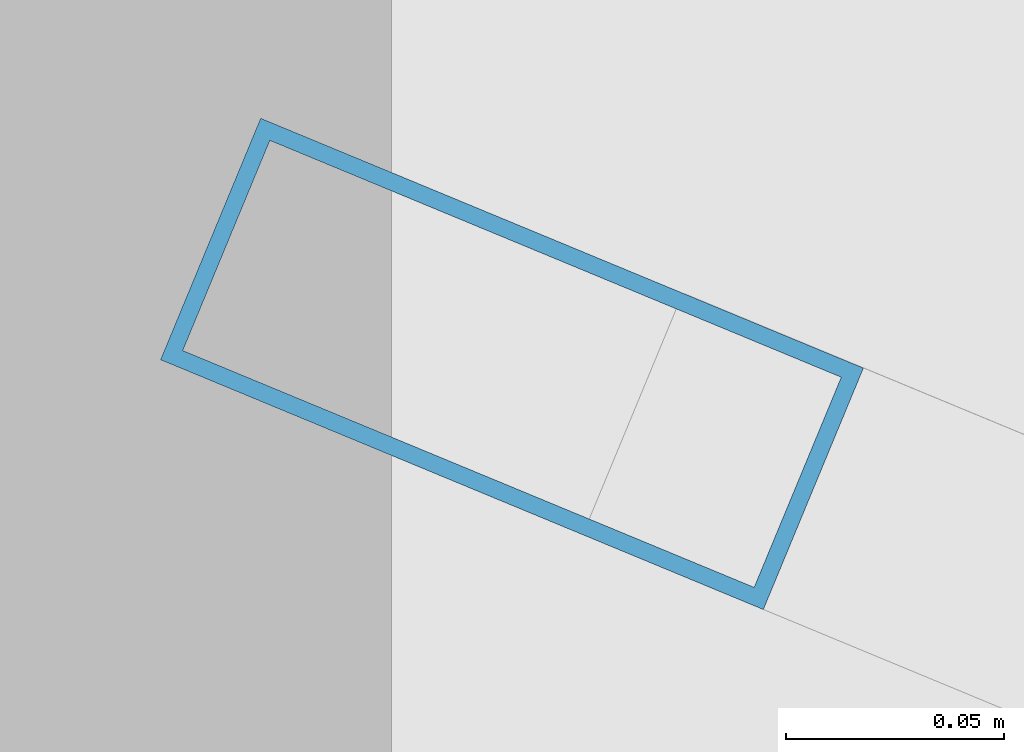
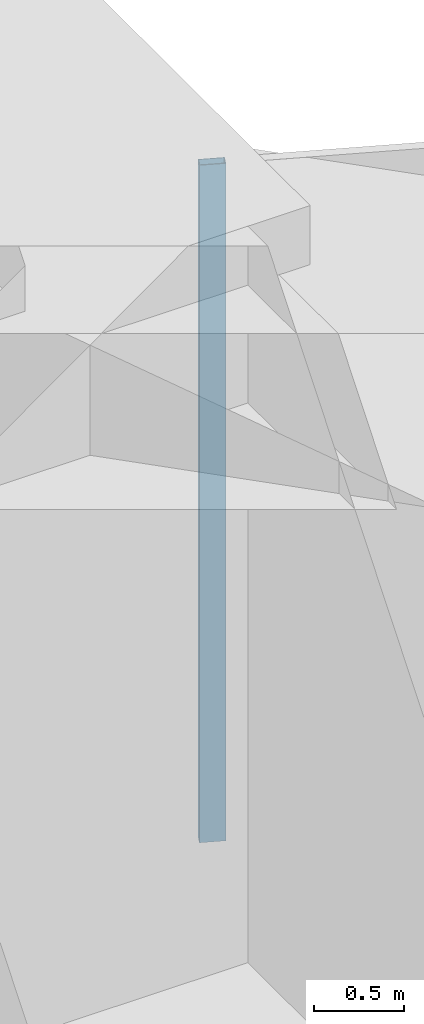
# One storey, part 29 of 35: 1 member, 1 element without a shape of its own.
"""IFC4 building model written with IfcOpenShell, lengths in metres."""

import ifcopenshell
import ifcopenshell.guid

model = None  # the IFC model being written
_history = None  # IfcOwnerHistory: only IFC2X3 demands one
_inside = {}  # id of a spatial element -> (the spatial element, [elements in it])
_under = {}  # id of a project, library or spatial element -> (it, [spatial elements below it])
_declared = {}  # id of a project -> (the project, [libraries it declares])
_typed = {}  # id of a type object -> (the type object, [elements of that type])
_made_of = {}  # id of a material, layer set ... -> (it, [elements and type objects made of it])


def new_model(schema):
    """Start an empty IFC model of exactly this schema.

    Asked for "IFC4X3", IfcOpenShell would pick the latest addendum, in which some entities
    have other attributes; the version numbers below select the first issue.
    IFC2X3 requires an IfcOwnerHistory on every rooted entity: one is made here for all.
    """
    global model, _history
    if schema == "IFC4X3":
        model = ifcopenshell.file(schema_version=(4, 3, 0, 0))
    else:
        model = ifcopenshell.file(schema=schema)
    _inside.clear()
    _under.clear()
    _declared.clear()
    _typed.clear()
    _made_of.clear()
    _history = None
    if model.schema == "IFC2X3":
        org = make("IfcOrganization", Name="unknown")
        user = make(
            "IfcPersonAndOrganization",
            ThePerson=make("IfcPerson", FamilyName="unknown"),
            TheOrganization=org,
        )
        app = make(
            "IfcApplication",
            ApplicationDeveloper=org,
            Version="unknown",
            ApplicationFullName="unknown",
            ApplicationIdentifier="unknown",
        )
        _history = make(
            "IfcOwnerHistory",
            OwningUser=user,
            OwningApplication=app,
            ChangeAction="ADDED",
            CreationDate=0,
        )
    return model


def make(cls, **values):
    """One entity of the class cls with the attributes given. An attribute that is None is left unset."""
    return model.create_entity(
        cls, **{name: value for name, value in values.items() if value is not None}
    )


def rooted(cls, **values):
    """An entity with a GlobalId (a new one), such as an element, a storey or a relation."""
    return make(cls, GlobalId=ifcopenshell.guid.new(), OwnerHistory=_history, **values)


def si_unit(unit_type, name, prefix=None):
    """IfcSIUnit, for example si_unit("LENGTHUNIT", "METRE", prefix="MILLI")."""
    return make("IfcSIUnit", UnitType=unit_type, Prefix=prefix, Name=name)


def assignment(units):
    """IfcUnitAssignment: the units of a project."""
    return None if units is None else make("IfcUnitAssignment", Units=units)


def point(xyz):
    """IfcCartesianPoint."""
    return None if xyz is None else make("IfcCartesianPoint", Coordinates=xyz)


def direction(xyz):
    """IfcDirection."""
    return None if xyz is None else make("IfcDirection", DirectionRatios=xyz)


def frame(location, z_axis=None, x_axis=None):
    """IfcAxis2Placement3D, a coordinate frame: its origin and axes. An axis left out is left unset."""
    return make(
        "IfcAxis2Placement3D",
        Location=point(location),
        Axis=direction(z_axis),
        RefDirection=direction(x_axis),
    )


def frame_2d(location, x_axis=None):
    """IfcAxis2Placement2D, a coordinate frame in the plane: its origin and x axis."""
    return make(
        "IfcAxis2Placement2D", Location=point(location), RefDirection=direction(x_axis)
    )


def origin():
    """The frame at (0, 0, 0) with its axes left unset."""
    return frame((0.0, 0.0, 0.0))


def origin_2d():
    """The frame at (0, 0) in the plane with its x axis left unset."""
    return frame_2d((0.0, 0.0))


def place(relative_to, where):
    """IfcLocalPlacement: puts the frame where relative to a parent placement (None: the world)."""
    return make(
        "IfcLocalPlacement", PlacementRelTo=relative_to, RelativePlacement=where
    )


def context(
    kind, dimensions, precision=None, world=None, true_north=None, identifier=None
):
    """IfcGeometricRepresentationContext, for example the 3D "Model" context."""
    return make(
        "IfcGeometricRepresentationContext",
        ContextIdentifier=identifier,
        ContextType=kind,
        CoordinateSpaceDimension=dimensions,
        Precision=precision,
        WorldCoordinateSystem=world,
        TrueNorth=true_north,
    )


def subcontext(parent, identifier, kind, view, scale=None):
    """IfcGeometricRepresentationSubContext, for example "Body" below "Model"."""
    return make(
        "IfcGeometricRepresentationSubContext",
        ContextIdentifier=identifier,
        ContextType=kind,
        ParentContext=parent,
        TargetScale=scale,
        TargetView=view,
    )


def project(units=None, contexts=None):
    """IfcProject with its units and contexts."""
    return rooted(
        "IfcProject",
        Name="project",
        RepresentationContexts=contexts,
        UnitsInContext=assignment(units),
    )


def spatial(cls, under=None, at=None, **own):
    """A site, building, storey or space (cls), placed at a placement, below another one or the project."""
    s = rooted(cls, ObjectPlacement=at, **own)
    if under is not None:
        _under.setdefault(under.id(), (under, []))[1].append(s)
    return s


def profile(cls, at=None, kind="AREA", **sizes):
    """A parametric profile (cls). Its sizes go by their IFC names, for example OverallWidth=200.0."""
    return make(cls, ProfileType=kind, Position=at, **sizes)


def hollow_rectangle(**sizes):
    """IfcRectangleHollowProfileDef."""
    return profile("IfcRectangleHollowProfileDef", **sizes)


def extrude(swept, where, along, depth):
    """IfcExtrudedAreaSolid: the profile swept, set in the frame where, extruded along a direction by depth."""
    return make(
        "IfcExtrudedAreaSolid",
        SweptArea=swept,
        Position=where,
        ExtrudedDirection=direction(along),
        Depth=depth,
    )


def shape(context_of_items, identifier, shape_type, items):
    """IfcShapeRepresentation: the items that make up one representation, for example the "Body"."""
    return make(
        "IfcShapeRepresentation",
        ContextOfItems=context_of_items,
        RepresentationIdentifier=identifier,
        RepresentationType=shape_type,
        Items=items,
    )


def material(Name=None, Category=None):
    """IfcMaterial."""
    return make("IfcMaterial", Name=Name, Category=Category)


def material_profile(
    of_material, cross_section, Name=None, Category=None, Priority=None
):
    """IfcMaterialProfile: a cross section and its material."""
    return make(
        "IfcMaterialProfile",
        Name=Name,
        Material=of_material,
        Profile=cross_section,
        Priority=Priority,
        Category=Category,
    )


def profile_set(profiles, Name=None, composite=None):
    """IfcMaterialProfileSet."""
    return make(
        "IfcMaterialProfileSet",
        Name=Name,
        MaterialProfiles=profiles,
        CompositeProfile=composite,
    )


def made_of(thing, what):
    """Note that an element or type object is made of a material, layer set ...; save() writes the relation."""
    if what is not None:
        _made_of.setdefault(what.id(), (what, []))[1].append(thing)
    return thing


def type_object(cls, material=None, **own):
    """A type object (cls), such as IfcWallType, which elements share."""
    return made_of(rooted(cls, **own), material)


def element(
    cls,
    number,
    at=None,
    inside=None,
    cuts=None,
    type_object=None,
    material=None,
    context=None,
    identifier="Body",
    shape_type=None,
    held_by="IfcProductDefinitionShape",
    body=None,
    shapes=None,
    **own,
):
    """One element of the class cls, such as IfcWall. Its Tag is "e" and its number.

    at: its placement. inside: the storey or other place that contains it. cuts: it is an
    opening in that element (IfcRelVoidsElement). A single representation is given by context,
    identifier, shape_type and body (its items); several are given by shapes. held_by: the class
    of the entity that holds the representations. save() writes the other relations.
    """
    e = rooted(cls, Tag="e%d" % number, ObjectPlacement=at, **own)
    if body is not None:
        shapes = [shape(context, identifier, shape_type, body)]
    if shapes is not None:
        e.Representation = make(held_by, Representations=shapes)
    if inside is not None:
        _inside.setdefault(inside.id(), (inside, []))[1].append(e)
    if cuts is not None:
        rooted(
            "IfcRelVoidsElement", RelatingBuildingElement=cuts, RelatedOpeningElement=e
        )
    if type_object is not None:
        _typed.setdefault(type_object.id(), (type_object, []))[1].append(e)
    return made_of(e, material)


def aggregate(whole, parts):
    """IfcRelAggregates: a whole, such as a stair, and the parts it consists of."""
    return rooted("IfcRelAggregates", RelatingObject=whole, RelatedObjects=parts)


def save(model, path):
    """Write the relations noted so far, then the file.

    IfcRelAggregates (storeys below a building ...), IfcRelContainedInSpatialStructure (elements
    in a storey), IfcRelDefinesByType, IfcRelAssociatesMaterial and IfcRelDeclares: one each for
    every whole, place, type object, material and project.
    """
    for whole, parts in _under.values():
        aggregate(whole, parts)
    for where, things in _inside.values():
        rooted(
            "IfcRelContainedInSpatialStructure",
            RelatedElements=things,
            RelatingStructure=where,
        )
    for kind, things in _typed.values():
        rooted("IfcRelDefinesByType", RelatedObjects=things, RelatingType=kind)
    for what, things in _made_of.values():
        rooted("IfcRelAssociatesMaterial", RelatedObjects=things, RelatingMaterial=what)
    for by, libraries in _declared.values():
        rooted("IfcRelDeclares", RelatingContext=by, RelatedDefinitions=libraries)
    model.write(path)


model = new_model("IFC4")

# Units and contexts
model_context = context("Model", 3, precision=1e-05, world=origin(), true_north=direction((0.0, 1.0)))
body_context = subcontext(model_context, "Body", "Model", "MODEL_VIEW")
ifc_project = project(units=[si_unit("LENGTHUNIT", "METRE"), si_unit("AREAUNIT", "SQUARE_METRE"), si_unit("VOLUMEUNIT", "CUBIC_METRE"), si_unit("PLANEANGLEUNIT", "RADIAN"), si_unit("MASSUNIT", "GRAM", prefix="KILO")], contexts=[model_context])

# Site, building, storey
site_placement = place(None, origin())
site = spatial("IfcSite", under=ifc_project, at=site_placement, CompositionType="ELEMENT")
building_placement = place(site_placement, origin())
building = spatial("IfcBuilding", under=site, at=building_placement, Name="Zorevar Civic Tower", CompositionType="ELEMENT")
storey_placement = place(building_placement, frame((0.0, 0.0, 80.0)))
storey = spatial("IfcBuildingStorey", under=building, at=storey_placement, Name="L19", CompositionType="ELEMENT", Elevation=80.0)

# Curtain wall, member
ifc_material_1 = material(Name="Black aluminium louvres", Category="aluminium")
curtain_wall_type = type_object("IfcCurtainWallType", Name="Louvred curtain wall CW6 refuge", PredefinedType="NOTDEFINED", material=ifc_material_1)
curtain_wall_placement = place(storey_placement, origin())
curtain_wall = element("IfcCurtainWall", 1, at=curtain_wall_placement, inside=storey, type_object=curtain_wall_type, Name="CW6 L19", PredefinedType="NOTDEFINED")
ifc_material_2 = material(Name="Aluminium, black anodised", Category="aluminium")
ifc_material_profile = material_profile(ifc_material_2, hollow_rectangle(XDim=0.06005859375, YDim=0.14990234375, WallThickness=0.00390625, at=origin_2d()), Name="AL 150x60x4")
ifc_profile_set = profile_set([ifc_material_profile], Name="Aluminium, black anodised")
member_type = type_object("IfcMemberType", Name="CW6 mullion AL 150x60x4", PredefinedType="MULLION", material=ifc_profile_set)
member_placement = place(storey_placement, frame((55.627685546875, 53.5400390625, 0.0), z_axis=(0.0, 0.0, 1.0), x_axis=(-0.382841193399, -0.92381416997, 0.0)))
member = element("IfcMember", 2, at=member_placement, type_object=member_type, Name="CW6 mullion 2", PredefinedType="MULLION", context=body_context, shape_type="SweptSolid", body=[
    extrude(hollow_rectangle(XDim=0.06005859375, YDim=0.14990234375, WallThickness=0.00390625, at=origin_2d()), origin(), (0.0, 0.0, 1.0), 4.60009765625),
])
aggregate(curtain_wall, [member])

save(model, "model.ifc")
